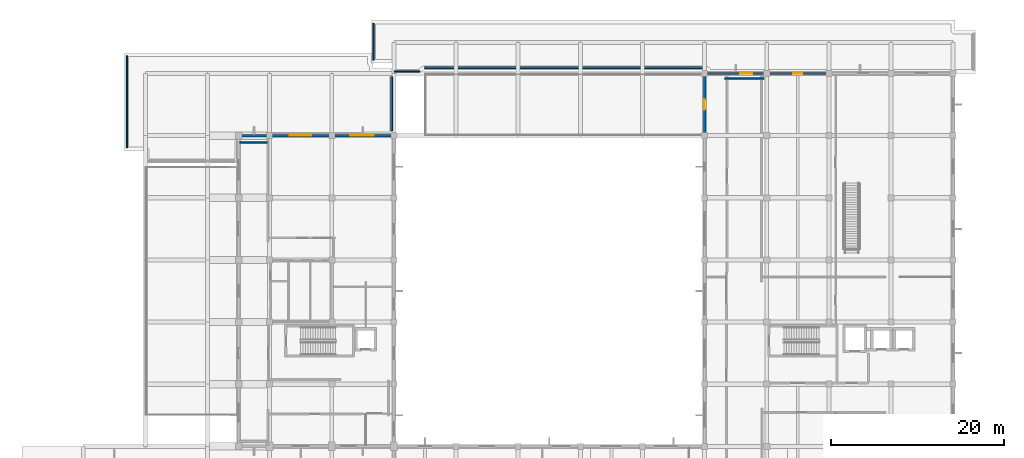
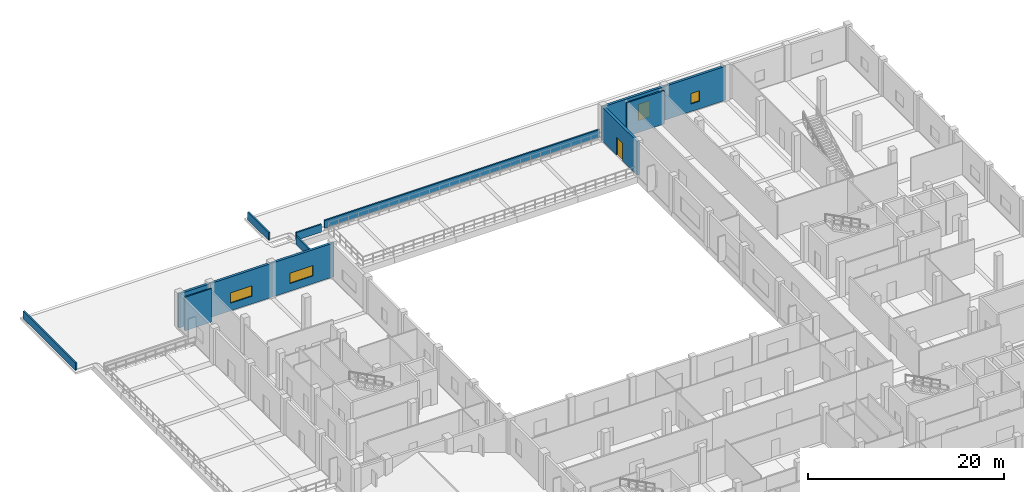
# One storey, part 16 of 24: 13 walls, 4 windows, 1 door, 5 openings.
"""IFC4 building model written with IfcOpenShell, lengths in metres."""

from ifc_helpers import new_model, si_unit, direction, frame, frame_2d, origin, place, context, subcontext, project, spatial, rectangle, extrude, material, layer, layer_set, type_object, element, fill, save


model = new_model("IFC4")

# Units and contexts
model_context = context("Model", 3, precision=1e-05, world=origin(), true_north=direction((0.0, 1.0)))
body_context = subcontext(model_context, "Body", "Model", "MODEL_VIEW")
ifc_project = project(units=[si_unit("LENGTHUNIT", "METRE"), si_unit("AREAUNIT", "SQUARE_METRE"), si_unit("VOLUMEUNIT", "CUBIC_METRE"), si_unit("PLANEANGLEUNIT", "RADIAN"), si_unit("MASSUNIT", "GRAM", prefix="KILO")], contexts=[model_context])

# Site, building, storey
site_placement = place(None, origin())
site = spatial("IfcSite", under=ifc_project, at=site_placement, CompositionType="ELEMENT")
building_placement = place(site_placement, origin())
building = spatial("IfcBuilding", under=site, at=building_placement, Name="Seraya Terrace Polytechnic", CompositionType="ELEMENT")
storey_placement = place(building_placement, frame((0.0, 0.0, 18.89990234375)))
storey = spatial("IfcBuildingStorey", under=building, at=storey_placement, Name="L04", CompositionType="ELEMENT", Elevation=18.89990234375)

# Wall, opening, door
ifc_material_1 = material(Name="Precast concrete C40/50", Category="concrete")
ifc_layer_1 = layer(ifc_material_1, 0.280029296875, Name="EW-02")
ifc_layer_set_1 = layer_set([ifc_layer_1], Name="Precast concrete C40/50")
wall_type_1 = type_object("IfcWallType", Name="EW-02", PredefinedType="SOLIDWALL", material=ifc_layer_set_1)
wall_1_placement = place(storey_placement, frame((79.199951171875, 64.800048828125, 0.0), z_axis=(0.0, 0.0, 1.0), x_axis=(0.0, 1.0, 0.0)))
wall_1 = element("IfcWall", 1, at=wall_1_placement, inside=storey, type_object=wall_type_1, Name="Exterior structural wall EW-02 L04", PredefinedType="SOLIDWALL", context=body_context, shape_type="SweptSolid", body=[
    extrude(rectangle(XDim=7.0478515625, YDim=0.280029296875, at=frame_2d((3.52392578125, 0.0))), origin(), (0.0, 0.0, 1.0), 4.22021484375),
])
opening_1_placement = place(wall_1_placement, frame((3.010009765625, 0.0, 0.0)))
opening_1 = element("IfcOpeningElement", 2, at=opening_1_placement, cuts=wall_1, Name="Opening TD-02", PredefinedType="OPENING", context=body_context, shape_type="SweptSolid", body=[
    extrude(rectangle(XDim=1.179931640625, YDim=2.179931640625, at=frame_2d((0.58984375, 1.08984375))), frame((0.0, 0.15185546875, 0.0), z_axis=(0.0, -1.0, 0.0), x_axis=(1.0, 0.0, 0.0)), (0.0, 0.0, 1.0), 0.303955078125),
])
ifc_material_2 = material(Name="Anodised aluminium EN AW-6063 T6", Category="aluminium")
door_type = type_object("IfcDoorType", Name="TD-02", OperationType="NOTDEFINED", PredefinedType="DOOR", material=ifc_material_2)
door_placement = place(opening_1_placement, origin())
door = element("IfcDoor", 3, at=door_placement, inside=storey, type_object=door_type, Name="Door TD-02 DR-TERR-L04-04-05 in WL-EXT-L04-04-05", OperationType="SINGLE_SWING_LEFT", OverallHeight=2.179931640625, OverallWidth=1.179931640625, PredefinedType="DOOR", context=body_context, shape_type="SweptSolid", body=[
    extrude(rectangle(XDim=1.179931640625, YDim=2.179931640625, at=frame_2d((0.58984375, 1.08984375))), frame((0.0, 0.02490234375, 0.0), z_axis=(0.0, -1.0, 0.0), x_axis=(1.0, 0.0, 0.0)), (0.0, 0.0, 1.0), 0.050048828125),
])
fill(opening_1, door)

# Wall, opening, window
wall_2_placement = place(storey_placement, frame((79.050048828125, 72.0, 0.0), z_axis=(0.0, 0.0, 1.0), x_axis=(1.0, 0.0, 0.0)))
wall_2 = element("IfcWall", 4, at=wall_2_placement, inside=storey, type_object=wall_type_1, Name="Exterior structural wall EW-02 L04", PredefinedType="SOLIDWALL", context=body_context, shape_type="SweptSolid", body=[
    extrude(rectangle(XDim=7.349853515625, YDim=0.280029296875, at=frame_2d((3.6748046875, 0.0))), origin(), (0.0, 0.0, 1.0), 4.22021484375),
])
opening_2_placement = place(wall_2_placement, frame((4.298095703125, 0.0, 0.949951171875)))
opening_2 = element("IfcOpeningElement", 5, at=opening_2_placement, cuts=wall_2, Name="Opening WN-38", PredefinedType="OPENING", context=body_context, shape_type="SweptSolid", body=[
    extrude(rectangle(XDim=1.35009765625, YDim=2.050048828125, at=frame_2d((0.675048828125, 1.02490234375))), frame((0.0, 0.15185546875, 0.0), z_axis=(0.0, -1.0, 0.0), x_axis=(1.0, 0.0, 0.0)), (0.0, 0.0, 1.0), 0.303955078125),
])
ifc_material_3 = material(Name="Laminated solar-control Low-E double glazing", Category="glass")
window_type_1 = type_object("IfcWindowType", Name="WN-38", PartitioningType="SINGLE_PANEL", PredefinedType="WINDOW", material=ifc_material_3)
window_1_placement = place(opening_2_placement, origin())
window_1 = element("IfcWindow", 6, at=window_1_placement, inside=storey, type_object=window_type_1, Name="Exterior window WN-38 L04", OverallHeight=2.050048828125, OverallWidth=1.35009765625, PartitioningType="SINGLE_PANEL", PredefinedType="WINDOW", context=body_context, shape_type="SweptSolid", body=[
    extrude(rectangle(XDim=1.35009765625, YDim=2.050048828125, at=frame_2d((0.675048828125, 1.02490234375))), frame((0.0, 0.030029296875, 0.0), z_axis=(0.0, -1.0, 0.0), x_axis=(1.0, 0.0, 0.0)), (0.0, 0.0, 1.0), 0.06005859375),
])
fill(opening_2, window_1)

wall_3_placement = place(storey_placement, frame((86.39990234375, 72.0, 0.0), z_axis=(0.0, 0.0, 1.0), x_axis=(1.0, 0.0, 0.0)))
wall_3 = element("IfcWall", 7, at=wall_3_placement, inside=storey, type_object=wall_type_1, Name="Exterior structural wall EW-02 L04", PredefinedType="SOLIDWALL", context=body_context, shape_type="SweptSolid", body=[
    extrude(rectangle(XDim=7.2001953125, YDim=0.280029296875, at=frame_2d((3.60009765625, 0.0))), origin(), (0.0, 0.0, 1.0), 4.22021484375),
])
opening_3_placement = place(wall_3_placement, frame((3.10009765625, 0.0, 0.949951171875)))
opening_3 = element("IfcOpeningElement", 8, at=opening_3_placement, cuts=wall_3, Name="Opening WN-01", PredefinedType="OPENING", context=body_context, shape_type="SweptSolid", body=[
    extrude(rectangle(XDim=1.0, YDim=1.300048828125, at=frame_2d((0.5, 0.64990234375))), frame((0.0, 0.15185546875, 0.0), z_axis=(0.0, -1.0, 0.0), x_axis=(1.0, 0.0, 0.0)), (0.0, 0.0, 1.0), 0.303955078125),
])
window_type_2 = type_object("IfcWindowType", Name="WN-01", PartitioningType="SINGLE_PANEL", PredefinedType="WINDOW", material=ifc_material_3)
window_2_placement = place(opening_3_placement, origin())
window_2 = element("IfcWindow", 9, at=window_2_placement, inside=storey, type_object=window_type_2, Name="Exterior window WN-01 L04", OverallHeight=1.300048828125, OverallWidth=1.0, PartitioningType="SINGLE_PANEL", PredefinedType="WINDOW", context=body_context, shape_type="SweptSolid", body=[
    extrude(rectangle(XDim=1.0, YDim=1.300048828125, at=frame_2d((0.5, 0.64990234375))), frame((0.0, 0.030029296875, 0.0), z_axis=(0.0, -1.0, 0.0), x_axis=(1.0, 0.0, 0.0)), (0.0, 0.0, 1.0), 0.06005859375),
])
fill(opening_3, window_2)

# Wall
wall_4_placement = place(storey_placement, frame((25.050048828125, 64.800048828125, 0.0), z_axis=(0.0, 0.0, 1.0), x_axis=(1.0, 0.0, 0.0)))
element("IfcWall", 10, at=wall_4_placement, inside=storey, type_object=wall_type_1, Name="Exterior structural wall EW-02 L04", PredefinedType="SOLIDWALL", context=body_context, shape_type="SweptSolid", body=[
    extrude(rectangle(XDim=3.75, YDim=0.280029296875, at=frame_2d((1.875, 0.0))), origin(), (0.0, 0.0, 1.0), 4.22021484375),
])

# Wall, opening, window
wall_5_placement = place(storey_placement, frame((28.800048828125, 64.800048828125, 0.0), z_axis=(0.0, 0.0, 1.0), x_axis=(1.0, 0.0, 0.0)))
wall_5 = element("IfcWall", 11, at=wall_5_placement, inside=storey, type_object=wall_type_1, Name="Exterior structural wall EW-02 L04", PredefinedType="SOLIDWALL", context=body_context, shape_type="SweptSolid", body=[
    extrude(rectangle(XDim=7.199951171875, YDim=0.280029296875, at=frame_2d((3.60009765625, 0.0))), origin(), (0.0, 0.0, 1.0), 4.22021484375),
])
opening_4_placement = place(wall_5_placement, frame((2.35009765625, 0.0, 0.949951171875)))
opening_4 = element("IfcOpeningElement", 12, at=opening_4_placement, cuts=wall_5, Name="Opening WN-10", PredefinedType="OPENING", context=body_context, shape_type="SweptSolid", body=[
    extrude(rectangle(XDim=2.5, YDim=1.300048828125, at=frame_2d((1.25, 0.64990234375))), frame((0.0, 0.15185546875, 0.0), z_axis=(0.0, -1.0, 0.0), x_axis=(1.0, 0.0, 0.0)), (0.0, 0.0, 1.0), 0.303955078125),
])
window_type_3 = type_object("IfcWindowType", Name="WN-10", PartitioningType="SINGLE_PANEL", PredefinedType="WINDOW", material=ifc_material_3)
window_3_placement = place(opening_4_placement, origin())
window_3 = element("IfcWindow", 13, at=window_3_placement, inside=storey, type_object=window_type_3, Name="Exterior window WN-10 L04", OverallHeight=1.300048828125, OverallWidth=2.5, PartitioningType="SINGLE_PANEL", PredefinedType="WINDOW", context=body_context, shape_type="SweptSolid", body=[
    extrude(rectangle(XDim=2.5, YDim=1.300048828125, at=frame_2d((1.25, 0.64990234375))), frame((0.0, 0.030029296875, 0.0), z_axis=(0.0, -1.0, 0.0), x_axis=(1.0, 0.0, 0.0)), (0.0, 0.0, 1.0), 0.06005859375),
])
fill(opening_4, window_3)

wall_6_placement = place(storey_placement, frame((36.0, 64.800048828125, 0.0), z_axis=(0.0, 0.0, 1.0), x_axis=(1.0, 0.0, 0.0)))
wall_6 = element("IfcWall", 14, at=wall_6_placement, inside=storey, type_object=wall_type_1, Name="Exterior structural wall EW-02 L04", PredefinedType="SOLIDWALL", context=body_context, shape_type="SweptSolid", body=[
    extrude(rectangle(XDim=7.35009765625, YDim=0.280029296875, at=frame_2d((3.675048828125, 0.0))), origin(), (0.0, 0.0, 1.0), 4.22021484375),
])
opening_5_placement = place(wall_6_placement, frame((2.14990234375, 0.0, 0.949951171875)))
opening_5 = element("IfcOpeningElement", 15, at=opening_5_placement, cuts=wall_6, Name="Opening WN-11", PredefinedType="OPENING", context=body_context, shape_type="SweptSolid", body=[
    extrude(rectangle(XDim=2.699951171875, YDim=1.300048828125, at=frame_2d((1.35009765625, 0.64990234375))), frame((0.0, 0.15185546875, 0.0), z_axis=(0.0, -1.0, 0.0), x_axis=(1.0, 0.0, 0.0)), (0.0, 0.0, 1.0), 0.303955078125),
])
window_type_4 = type_object("IfcWindowType", Name="WN-11", PartitioningType="SINGLE_PANEL", PredefinedType="WINDOW", material=ifc_material_3)
window_4_placement = place(opening_5_placement, origin())
window_4 = element("IfcWindow", 16, at=window_4_placement, inside=storey, type_object=window_type_4, Name="Exterior window WN-11 L04", OverallHeight=1.300048828125, OverallWidth=2.699951171875, PartitioningType="SINGLE_PANEL", PredefinedType="WINDOW", context=body_context, shape_type="SweptSolid", body=[
    extrude(rectangle(XDim=2.699951171875, YDim=1.300048828125, at=frame_2d((1.35009765625, 0.64990234375))), frame((0.0, 0.030029296875, 0.0), z_axis=(0.0, -1.0, 0.0), x_axis=(1.0, 0.0, 0.0)), (0.0, 0.0, 1.0), 0.06005859375),
])
fill(opening_5, window_4)

# Walls
ifc_material_4 = material(Name="Autoclaved aerated concrete blockwork", Category="masonry")
ifc_layer_2 = layer(ifc_material_4, 0.169921875, Name="PT-02")
ifc_layer_set_2 = layer_set([ifc_layer_2], Name="Autoclaved aerated concrete blockwork")
wall_type_2 = type_object("IfcWallType", Name="PT-02", PredefinedType="PARTITIONING", material=ifc_layer_set_2)
wall_7_placement = place(storey_placement, frame((81.56005859375, 71.39990234375, 0.0), z_axis=(0.0, 0.0, 1.0), x_axis=(1.0, 0.0, 0.0)))
element("IfcWall", 17, at=wall_7_placement, inside=storey, type_object=wall_type_2, Name="Internal partition PT-02 L04", PredefinedType="PARTITIONING", context=body_context, shape_type="SweptSolid", body=[
    extrude(rectangle(XDim=4.47998046875, YDim=0.169921875, at=frame_2d((2.239990234375, 0.0))), origin(), (0.0, 0.0, 1.0), 4.16015625),
])
wall_8_placement = place(storey_placement, frame((25.35205078125, 64.0, 0.0), z_axis=(0.0, 0.0, 1.0), x_axis=(1.0, 0.0, 0.0)))
element("IfcWall", 18, at=wall_8_placement, inside=storey, type_object=wall_type_2, Name="Internal partition PT-02 L04", PredefinedType="PARTITIONING", context=body_context, shape_type="SweptSolid", body=[
    extrude(rectangle(XDim=3.14794921875, YDim=0.169921875, at=frame_2d((1.573974609375, 0.0))), origin(), (0.0, 0.0, 1.0), 4.16015625),
])
ifc_layer_3 = layer(ifc_material_1, 0.179931640625, Name="PW-P2")
ifc_layer_set_3 = layer_set([ifc_layer_3], Name="Precast concrete C40/50")
wall_type_3 = type_object("IfcWallType", Name="PW-P2", PredefinedType="PARAPET", material=ifc_layer_set_3)
wall_9_placement = place(storey_placement, frame((40.85009765625, 73.56005859375, 0.0), z_axis=(0.0, 0.0, 1.0), x_axis=(0.0, 1.0, 0.0)))
element("IfcWall", 19, at=wall_9_placement, inside=storey, type_object=wall_type_3, Name="Roof parapet ROOF-L04-NWRIM 6.1", PredefinedType="PARAPET", context=body_context, shape_type="SweptSolid", body=[
    extrude(rectangle(XDim=4.280029296875, YDim=0.179931640625, at=frame_2d((2.14013671875, 0.0))), origin(), (0.0, 0.0, 1.0), 0.9501953125),
])
wall_10_placement = place(storey_placement, frame((79.199951171875, 72.669921875, 0.0), z_axis=(0.0, 0.0, 1.0), x_axis=(-1.0, 0.0, 0.0)))
element("IfcWall", 20, at=wall_10_placement, inside=storey, type_object=wall_type_3, Name="Roof parapet ROOF-L04-NWRIM 21.1", PredefinedType="PARAPET", context=body_context, shape_type="SweptSolid", body=[
    extrude(rectangle(XDim=32.39990234375, YDim=0.179931640625, at=frame_2d((16.199951171875, 0.0))), origin(), (0.0, 0.0, 1.0), 0.9501953125),
])
wall_11_placement = place(storey_placement, frame((46.1787109375, 72.25, 0.0), z_axis=(0.0, 0.0, 1.0), x_axis=(-1.0, 0.0, 0.0)))
element("IfcWall", 21, at=wall_11_placement, inside=storey, type_object=wall_type_3, Name="Roof parapet ROOF-L04-NWRIM 28.1", PredefinedType="PARAPET", context=body_context, shape_type="SweptSolid", body=[
    extrude(rectangle(XDim=2.9287109375, YDim=0.179931640625, at=frame_2d((1.46435546875, 0.0))), origin(), (0.0, 0.0, 1.0), 0.9501953125),
])
wall_12_placement = place(storey_placement, frame((42.949951171875, 71.642578125, 0.0), z_axis=(0.0, 0.0, 1.0), x_axis=(0.0, -1.0, 0.0)))
element("IfcWall", 22, at=wall_12_placement, inside=storey, type_object=wall_type_3, Name="Roof parapet ROOF-L04-WEST 10.1", PredefinedType="PARAPET", context=body_context, shape_type="SweptSolid", body=[
    extrude(rectangle(XDim=6.282470703125, YDim=0.179931640625, at=frame_2d((3.14111328125, 0.0))), origin(), (0.0, 0.0, 1.0), 0.9501953125),
])
wall_13_placement = place(storey_placement, frame((12.25, 63.407958984375, 0.0), z_axis=(0.0, 0.0, 1.0), x_axis=(0.0, 1.0, 0.0)))
element("IfcWall", 23, at=wall_13_placement, inside=storey, type_object=wall_type_3, Name="Roof parapet ROOF-L04-WEST 23.1", PredefinedType="PARAPET", context=body_context, shape_type="SweptSolid", body=[
    extrude(rectangle(XDim=10.632080078125, YDim=0.179931640625, at=frame_2d((5.31591796875, 0.0))), origin(), (0.0, 0.0, 1.0), 0.9501953125),
])

save(model, "model.ifc")
